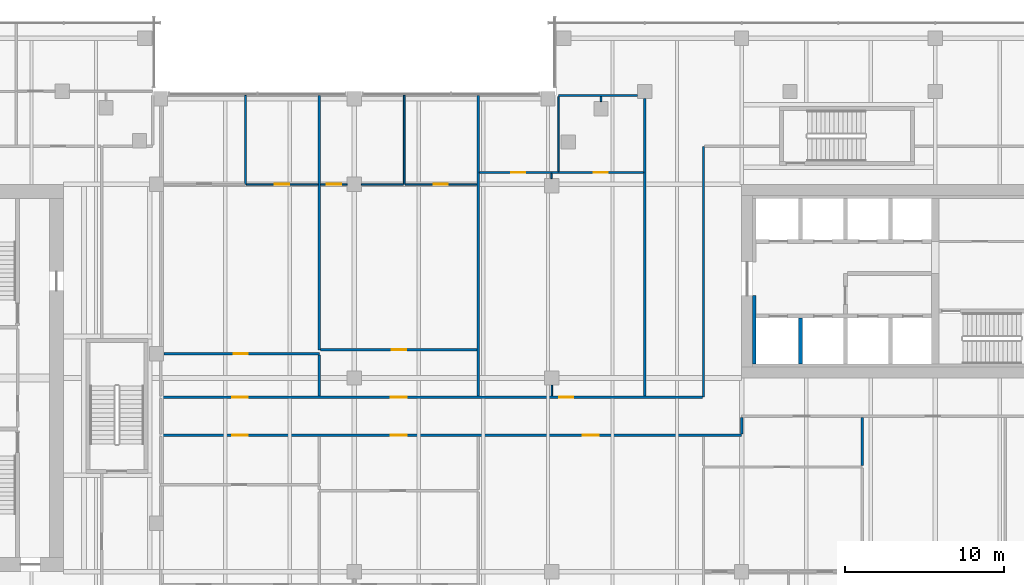
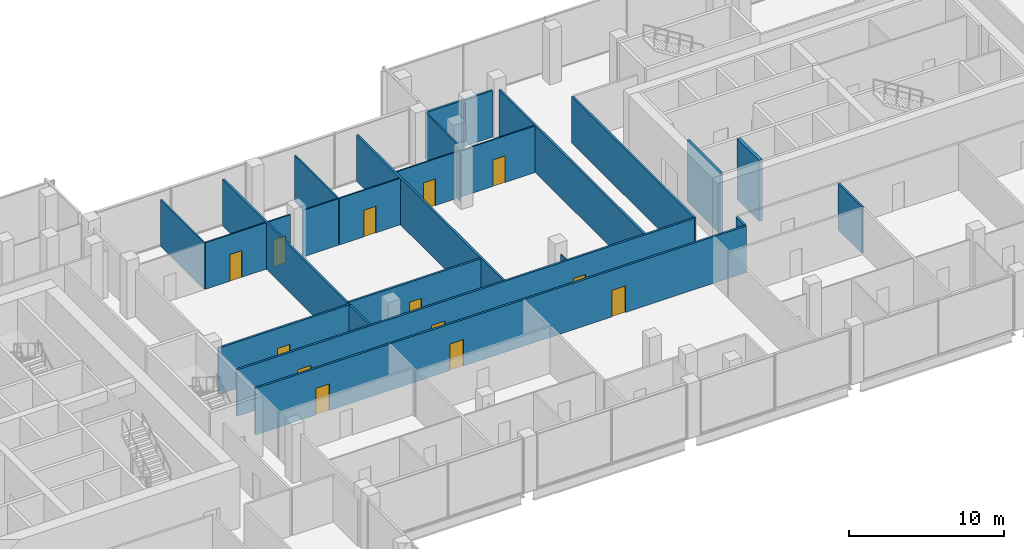
# One storey, part 27 of 33: 25 walls, 13 doors, 13 openings.
"""IFC4 building model written with IfcOpenShell, lengths in metres."""

from ifc_helpers import new_model, si_unit, direction, frame, frame_2d, origin, place, context, subcontext, project, spatial, rectangle, extrude, source, transform, mapped, material, layer, layer_set, type_object, element, fill, save


model = new_model("IFC4")

# Units and contexts
model_context = context("Model", 3, precision=1e-05, world=origin(), true_north=direction((0.0, 1.0)))
body_context = subcontext(model_context, "Body", "Model", "MODEL_VIEW")
ifc_project = project(units=[si_unit("LENGTHUNIT", "METRE"), si_unit("AREAUNIT", "SQUARE_METRE"), si_unit("VOLUMEUNIT", "CUBIC_METRE"), si_unit("PLANEANGLEUNIT", "RADIAN"), si_unit("MASSUNIT", "GRAM", prefix="KILO")], contexts=[model_context])

# Site, building, storey
site_placement = place(None, origin())
site = spatial("IfcSite", under=ifc_project, at=site_placement, CompositionType="ELEMENT")
building_placement = place(site_placement, origin())
building = spatial("IfcBuilding", under=site, at=building_placement, Name="Tessera Gate Towers", CompositionType="ELEMENT")
storey_placement = place(building_placement, frame((0.0, 0.0, 12.0)))
storey = spatial("IfcBuildingStorey", under=building, at=storey_placement, Name="L02", CompositionType="ELEMENT", Elevation=12.0)

# Walls
ifc_material_1 = material(Name="Concrete C40/50", Category="concrete")
ifc_layer_1 = layer(ifc_material_1, 0.25)
ifc_layer_set_1 = layer_set([ifc_layer_1], Name="CORE ENCLOSURE WALL 250")
wall_type_1 = type_object("IfcWallType", Name="CORE ENCLOSURE WALL 250", PredefinedType="SOLIDWALL", material=ifc_layer_set_1)
wall_1_placement = place(storey_placement, frame((101.324951171875, 37.5, 0.0), z_axis=(0.0, 0.0, 1.0), x_axis=(0.0, 1.0, 0.0)))
element("IfcWall", 1, at=wall_1_placement, inside=storey, type_object=wall_type_1, Name="L02 shaft and stair enclosure wall", PredefinedType="SOLIDWALL", context=body_context, shape_type="SweptSolid", body=[
    extrude(rectangle(XDim=2.875, YDim=0.25, at=frame_2d((1.4375, 0.0))), origin(), (0.0, 0.0, 1.0), 4.800048828125),
])
ifc_material_2 = material(Name="Concrete C60/75", Category="concrete")
ifc_layer_2 = layer(ifc_material_2, 0.199951171875)
ifc_layer_set_2 = layer_set([ifc_layer_2], Name="CORE WALL THICKENING 200")
wall_type_2 = type_object("IfcWallType", Name="CORE WALL THICKENING 200", PredefinedType="SOLIDWALL", material=ifc_layer_set_2)
wall_2_placement = place(storey_placement, frame((98.39990234375, 37.5, 0.0), z_axis=(0.0, 0.0, 1.0), x_axis=(0.0, 1.0, 0.0)))
element("IfcWall", 2, at=wall_2_placement, inside=storey, type_object=wall_type_2, Name="Core wall thickening W L02", PredefinedType="SOLIDWALL", context=body_context, shape_type="SweptSolid", body=[
    extrude(rectangle(XDim=4.300048828125, YDim=0.199951171875, at=frame_2d((2.14990234375, 0.0))), origin(), (0.0, 0.0, 1.0), 4.800048828125),
])

# Wall, openings, doors
ifc_material_3 = material(Name="Gypsum board on steel studs, mineral wool", Category="steel")
ifc_layer_3 = layer(ifc_material_3, 0.14990234375)
ifc_layer_set_3 = layer_set([ifc_layer_3], Name="CORRIDOR WALL 150")
wall_type_3 = type_object("IfcWallType", Name="CORRIDOR WALL 150", PredefinedType="PARTITIONING", material=ifc_layer_set_3)
wall_3_placement = place(storey_placement, frame((97.60009765625, 33.0, 0.0), z_axis=(0.0, 0.0, 1.0), x_axis=(-1.0, 0.0, 0.0)))
wall_3 = element("IfcWall", 3, at=wall_3_placement, inside=storey, type_object=wall_type_3, Name="PODIUM-L02-PW-068", PredefinedType="PARTITIONING", context=body_context, shape_type="SweptSolid", body=[
    extrude(rectangle(XDim=36.60009765625, YDim=0.14990234375, at=frame_2d((18.300048828125, 0.0))), origin(), (0.0, 0.0, 1.0), 3.672119140625),
])
shared_shape_1 = source(origin(), body_context, "Body", "SweptSolid", [
    extrude(rectangle(XDim=1.0, YDim=2.10009765625, at=frame_2d((0.5, 1.050048828125))), frame((0.0, 0.0849609375, 0.0), z_axis=(0.0, -1.0, 0.0), x_axis=(1.0, 0.0, 0.0)), (0.0, 0.0, 1.0), 0.169921875),
])
opening_1_placement = place(wall_3_placement, frame((21.09912109375, 0.0, 0.0)))
opening_1 = element("IfcOpeningElement", 4, at=opening_1_placement, cuts=wall_3, Name="Opening D2100FD60-P03-03", PredefinedType="OPENING", context=body_context, shape_type="MappedRepresentation", body=[
    mapped(shared_shape_1, transform((0.0, 0.0, 0.0), scale=1.0)),
])
opening_2_placement = place(wall_3_placement, frame((31.10009765625, 0.0, 0.0)))
opening_2 = element("IfcOpeningElement", 5, at=opening_2_placement, cuts=wall_3, Name="Opening D2100FD60-P03-05", PredefinedType="OPENING", context=body_context, shape_type="MappedRepresentation", body=[
    mapped(shared_shape_1, transform((0.0, 0.0, 0.0), scale=1.0)),
])
opening_3_placement = place(wall_3_placement, frame((9.0, 0.0, 0.0)))
opening_3 = element("IfcOpeningElement", 6, at=opening_3_placement, cuts=wall_3, Name="Opening D2100FD60-P03-08", PredefinedType="OPENING", context=body_context, shape_type="MappedRepresentation", body=[
    mapped(shared_shape_1, transform((0.0, 0.0, 0.0), scale=1.0)),
])
ifc_material_4 = material(Name="Timber door leaf in steel frame", Category="steel")
door_type_1 = type_object("IfcDoorType", Name="TENANCY ENTRANCE DOOR 1000 FD60", OperationType="NOTDEFINED", PredefinedType="DOOR", material=ifc_material_4)
shared_shape_2 = source(origin(), body_context, "Body", "SweptSolid", [
    extrude(rectangle(XDim=1.0, YDim=2.10009765625, at=frame_2d((0.5, 1.050048828125))), frame((0.0, 0.02490234375, 0.0), z_axis=(0.0, -1.0, 0.0), x_axis=(1.0, 0.0, 0.0)), (0.0, 0.0, 1.0), 0.050048828125),
])
door_1_placement = place(opening_1_placement, origin())
door_1 = element("IfcDoor", 7, at=door_1_placement, inside=storey, type_object=door_type_1, Name="PODIUM-L02-PD-046", OperationType="SINGLE_SWING_RIGHT", OverallHeight=2.10009765625, OverallWidth=1.0, PredefinedType="DOOR", context=body_context, shape_type="MappedRepresentation", body=[
    mapped(shared_shape_2, transform((0.0, 0.0, 0.0), scale=1.0)),
])
fill(opening_1, door_1)
door_2_placement = place(opening_2_placement, origin())
door_2 = element("IfcDoor", 8, at=door_2_placement, inside=storey, type_object=door_type_1, Name="PODIUM-L02-PD-048", OperationType="SINGLE_SWING_RIGHT", OverallHeight=2.10009765625, OverallWidth=1.0, PredefinedType="DOOR", context=body_context, shape_type="MappedRepresentation", body=[
    mapped(shared_shape_2, transform((0.0, 0.0, 0.0), scale=1.0)),
])
fill(opening_2, door_2)
door_3_placement = place(opening_3_placement, origin())
door_3 = element("IfcDoor", 9, at=door_3_placement, inside=storey, type_object=door_type_1, Name="PODIUM-L02-PD-058", OperationType="SINGLE_SWING_RIGHT", OverallHeight=2.10009765625, OverallWidth=1.0, PredefinedType="DOOR", context=body_context, shape_type="MappedRepresentation", body=[
    mapped(shared_shape_2, transform((0.0, 0.0, 0.0), scale=1.0)),
])
fill(opening_3, door_3)

# Wall
wall_4_placement = place(storey_placement, frame((97.60009765625, 33.075927734375, 0.0), z_axis=(0.0, 0.0, 1.0), x_axis=(0.0, 1.0, 0.0)))
element("IfcWall", 10, at=wall_4_placement, inside=storey, type_object=wall_type_3, Name="PODIUM-L02-PW-070", PredefinedType="PARTITIONING", context=body_context, shape_type="SweptSolid", body=[
    extrude(rectangle(XDim=1.048095703125, YDim=0.14990234375, at=frame_2d((0.52392578125, 0.0))), origin(), (0.0, 0.0, 1.0), 3.672119140625),
])

# Wall, openings, doors
wall_5_placement = place(storey_placement, frame((61.0, 35.39990234375, 0.0), z_axis=(0.0, 0.0, 1.0), x_axis=(1.0, 0.0, 0.0)))
wall_5 = element("IfcWall", 11, at=wall_5_placement, inside=storey, type_object=wall_type_3, Name="PODIUM-L02-PW-073", PredefinedType="PARTITIONING", context=body_context, shape_type="SweptSolid", body=[
    extrude(rectangle(XDim=34.1240234375, YDim=0.14990234375, at=frame_2d((17.06201171875, 0.0))), origin(), (0.0, 0.0, 1.0), 3.672119140625),
])
opening_4_placement = place(wall_5_placement, frame((14.5009765625, 0.0, 0.0)))
opening_4 = element("IfcOpeningElement", 12, at=opening_4_placement, cuts=wall_5, Name="Opening D2100FD60-P03-04", PredefinedType="OPENING", context=body_context, shape_type="MappedRepresentation", body=[
    mapped(shared_shape_1, transform((0.0, 0.0, 0.0), scale=1.0)),
])
opening_5_placement = place(wall_5_placement, frame((4.5, 0.0, 0.0)))
opening_5 = element("IfcOpeningElement", 13, at=opening_5_placement, cuts=wall_5, Name="Opening D2100FD60-P03-06", PredefinedType="OPENING", context=body_context, shape_type="MappedRepresentation", body=[
    mapped(shared_shape_1, transform((0.0, 0.0, 0.0), scale=1.0)),
])
shared_shape_3 = source(origin(), body_context, "Body", "SweptSolid", [
    extrude(rectangle(XDim=0.89990234375, YDim=2.10009765625, at=frame_2d((0.449951171875, 1.050048828125))), frame((0.0, 0.0849609375, 0.0), z_axis=(0.0, -1.0, 0.0), x_axis=(1.0, 0.0, 0.0)), (0.0, 0.0, 1.0), 0.169921875),
])
opening_6_placement = place(wall_5_placement, frame((25.10009765625, 0.0, 0.0)))
opening_6 = element("IfcOpeningElement", 14, at=opening_6_placement, cuts=wall_5, Name="Opening D890FD60-P03-07", PredefinedType="OPENING", context=body_context, shape_type="MappedRepresentation", body=[
    mapped(shared_shape_3, transform((0.0, 0.0, 0.0), scale=1.0)),
])
ifc_material_5 = material(Name="Timber door leaf in steel frame", Category="steel")
door_type_2 = type_object("IfcDoorType", Name="CORRIDOR DOOR 900 FD60", OperationType="NOTDEFINED", PredefinedType="DOOR", material=ifc_material_5)
shared_shape_4 = source(origin(), body_context, "Body", "SweptSolid", [
    extrude(rectangle(XDim=0.89990234375, YDim=2.10009765625, at=frame_2d((0.449951171875, 1.050048828125))), frame((0.0, 0.02490234375, 0.0), z_axis=(0.0, -1.0, 0.0), x_axis=(1.0, 0.0, 0.0)), (0.0, 0.0, 1.0), 0.050048828125),
])
door_4_placement = place(opening_6_placement, origin())
door_4 = element("IfcDoor", 15, at=door_4_placement, inside=storey, type_object=door_type_2, Name="PODIUM-L02-PD-054", OperationType="SINGLE_SWING_RIGHT", OverallHeight=2.10009765625, OverallWidth=0.89990234375, PredefinedType="DOOR", context=body_context, shape_type="MappedRepresentation", body=[
    mapped(shared_shape_4, transform((0.0, 0.0, 0.0), scale=1.0)),
])
fill(opening_6, door_4)
door_5_placement = place(opening_4_placement, origin())
door_5 = element("IfcDoor", 16, at=door_5_placement, inside=storey, type_object=door_type_1, Name="PODIUM-L02-PD-047", OperationType="SINGLE_SWING_LEFT", OverallHeight=2.10009765625, OverallWidth=1.0, PredefinedType="DOOR", context=body_context, shape_type="MappedRepresentation", body=[
    mapped(shared_shape_2, transform((0.0, 0.0, 0.0), scale=1.0)),
])
fill(opening_4, door_5)
door_6_placement = place(opening_5_placement, origin())
door_6 = element("IfcDoor", 17, at=door_6_placement, inside=storey, type_object=door_type_1, Name="PODIUM-L02-PD-051", OperationType="SINGLE_SWING_LEFT", OverallHeight=2.10009765625, OverallWidth=1.0, PredefinedType="DOOR", context=body_context, shape_type="MappedRepresentation", body=[
    mapped(shared_shape_2, transform((0.0, 0.0, 0.0), scale=1.0)),
])
fill(opening_5, door_6)

# Walls
wall_6_placement = place(storey_placement, frame((95.199951171875, 35.39990234375, 0.0), z_axis=(0.0, 0.0, 1.0), x_axis=(0.0, 1.0, 0.0)))
element("IfcWall", 18, at=wall_6_placement, inside=storey, type_object=wall_type_3, Name="PODIUM-L02-PW-074", PredefinedType="PARTITIONING", context=body_context, shape_type="SweptSolid", body=[
    extrude(rectangle(XDim=15.800048828125, YDim=0.14990234375, at=frame_2d((7.89990234375, 0.0))), origin(), (0.0, 0.0, 1.0), 3.672119140625),
])
ifc_material_6 = material(Name="Gypsum board on steel studs", Category="steel")
ifc_layer_4 = layer(ifc_material_6, 0.10009765625)
ifc_layer_set_4 = layer_set([ifc_layer_4], Name="PARTITION 100")
wall_type_4 = type_object("IfcWallType", Name="PARTITION 100", PredefinedType="PARTITIONING", material=ifc_layer_set_4)
wall_7_placement = place(storey_placement, frame((85.64990234375, 36.14990234375, 0.0), z_axis=(0.0, 0.0, 1.0), x_axis=(0.0, -1.0, 0.0)))
element("IfcWall", 19, at=wall_7_placement, inside=storey, type_object=wall_type_4, Name="PODIUM-L02-PW-079", PredefinedType="PARTITIONING", context=body_context, shape_type="SweptSolid", body=[
    extrude(rectangle(XDim=0.6748046875, YDim=0.10009765625, at=frame_2d((0.33740234375, 0.0))), origin(), (0.0, 0.0, 1.0), 3.672119140625),
])
wall_8_placement = place(storey_placement, frame((66.35009765625, 48.800048828125, 0.0), z_axis=(0.0, 0.0, 1.0), x_axis=(0.0, 1.0, 0.0)))
element("IfcWall", 20, at=wall_8_placement, inside=storey, type_object=wall_type_4, Name="PODIUM-L02-PW-093", PredefinedType="PARTITIONING", context=body_context, shape_type="SweptSolid", body=[
    extrude(rectangle(XDim=5.599853515625, YDim=0.10009765625, at=frame_2d((2.7998046875, 0.0))), origin(), (0.0, 0.0, 1.0), 3.672119140625),
])

# Wall, opening, door
wall_9_placement = place(storey_placement, frame((66.40087890625, 48.800048828125, 0.0), z_axis=(0.0, 0.0, 1.0), x_axis=(1.0, 0.0, 0.0)))
wall_9 = element("IfcWall", 21, at=wall_9_placement, inside=storey, type_object=wall_type_4, Name="PODIUM-L02-PW-094", PredefinedType="PARTITIONING", context=body_context, shape_type="SweptSolid", body=[
    extrude(rectangle(XDim=4.523193359375, YDim=0.10009765625, at=frame_2d((2.26171875, 0.0))), origin(), (0.0, 0.0, 1.0), 3.672119140625),
])
shared_shape_5 = source(origin(), body_context, "Body", "SweptSolid", [
    extrude(rectangle(XDim=0.89990234375, YDim=2.10009765625, at=frame_2d((0.449951171875, 1.050048828125))), frame((0.0, 0.06005859375, 0.0), z_axis=(0.0, -1.0, 0.0), x_axis=(1.0, 0.0, 0.0)), (0.0, 0.0, 1.0), 0.1201171875),
])
opening_7_placement = place(wall_9_placement, frame((1.800048828125, 0.0, 0.0)))
opening_7 = element("IfcOpeningElement", 22, at=opening_7_placement, cuts=wall_9, Name="Opening D190-P03-05", PredefinedType="OPENING", context=body_context, shape_type="MappedRepresentation", body=[
    mapped(shared_shape_5, transform((0.0, 0.0, 0.0), scale=1.0)),
])
ifc_material_7 = material(Name="Timber door leaf in steel frame", Category="steel")
door_type_3 = type_object("IfcDoorType", Name="INTERNAL DOOR 900 NOT RATED", OperationType="NOTDEFINED", PredefinedType="DOOR", material=ifc_material_7)
door_7_placement = place(opening_7_placement, origin())
door_7 = element("IfcDoor", 23, at=door_7_placement, inside=storey, type_object=door_type_3, Name="PODIUM-L02-PD-013", OperationType="SINGLE_SWING_LEFT", OverallHeight=2.10009765625, OverallWidth=0.89990234375, PredefinedType="DOOR", context=body_context, shape_type="MappedRepresentation", body=[
    mapped(shared_shape_4, transform((0.0, 0.0, 0.0), scale=1.0)),
])
fill(opening_7, door_7)

wall_10_placement = place(storey_placement, frame((71.075927734375, 48.800048828125, 0.0), z_axis=(0.0, 0.0, 1.0), x_axis=(1.0, 0.0, 0.0)))
wall_10 = element("IfcWall", 24, at=wall_10_placement, inside=storey, type_object=wall_type_4, Name="PODIUM-L02-PW-095", PredefinedType="PARTITIONING", context=body_context, shape_type="SweptSolid", body=[
    extrude(rectangle(XDim=1.673095703125, YDim=0.10009765625, at=frame_2d((0.83642578125, 0.0))), origin(), (0.0, 0.0, 1.0), 3.672119140625),
])
opening_8_placement = place(wall_10_placement, frame((0.39990234375, 0.0, 0.0)))
opening_8 = element("IfcOpeningElement", 25, at=opening_8_placement, cuts=wall_10, Name="Opening D190-P03-02", PredefinedType="OPENING", context=body_context, shape_type="MappedRepresentation", body=[
    mapped(shared_shape_5, transform((0.0, 0.0, 0.0), scale=1.0)),
])
door_8_placement = place(opening_8_placement, origin())
door_8 = element("IfcDoor", 26, at=door_8_placement, inside=storey, type_object=door_type_3, Name="PODIUM-L02-PD-010", OperationType="SINGLE_SWING_LEFT", OverallHeight=2.10009765625, OverallWidth=0.89990234375, PredefinedType="DOOR", context=body_context, shape_type="MappedRepresentation", body=[
    mapped(shared_shape_4, transform((0.0, 0.0, 0.0), scale=1.0)),
])
fill(opening_8, door_8)

# Walls
wall_11_placement = place(storey_placement, frame((73.65087890625, 48.800048828125, 0.0), z_axis=(0.0, 0.0, 1.0), x_axis=(1.0, 0.0, 0.0)))
element("IfcWall", 27, at=wall_11_placement, inside=storey, type_object=wall_type_4, Name="PODIUM-L02-PW-096", PredefinedType="PARTITIONING", context=body_context, shape_type="SweptSolid", body=[
    extrude(rectangle(XDim=2.648193359375, YDim=0.10009765625, at=frame_2d((1.32421875, 0.0))), origin(), (0.0, 0.0, 1.0), 3.672119140625),
])
wall_12_placement = place(storey_placement, frame((76.35009765625, 48.800048828125, 0.0), z_axis=(0.0, 0.0, 1.0), x_axis=(0.0, 1.0, 0.0)))
element("IfcWall", 28, at=wall_12_placement, inside=storey, type_object=wall_type_4, Name="PODIUM-L02-PW-097", PredefinedType="PARTITIONING", context=body_context, shape_type="SweptSolid", body=[
    extrude(rectangle(XDim=5.599853515625, YDim=0.10009765625, at=frame_2d((2.7998046875, 0.0))), origin(), (0.0, 0.0, 1.0), 3.672119140625),
])

# Wall, opening, door
wall_13_placement = place(storey_placement, frame((76.40087890625, 48.800048828125, 0.0), z_axis=(0.0, 0.0, 1.0), x_axis=(1.0, 0.0, 0.0)))
wall_13 = element("IfcWall", 29, at=wall_13_placement, inside=storey, type_object=wall_type_4, Name="PODIUM-L02-PW-098", PredefinedType="PARTITIONING", context=body_context, shape_type="SweptSolid", body=[
    extrude(rectangle(XDim=4.523193359375, YDim=0.10009765625, at=frame_2d((2.26171875, 0.0))), origin(), (0.0, 0.0, 1.0), 3.672119140625),
])
opening_9_placement = place(wall_13_placement, frame((1.800048828125, 0.0, 0.0)))
opening_9 = element("IfcOpeningElement", 30, at=opening_9_placement, cuts=wall_13, Name="Opening D190-P03-06", PredefinedType="OPENING", context=body_context, shape_type="MappedRepresentation", body=[
    mapped(shared_shape_5, transform((0.0, 0.0, 0.0), scale=1.0)),
])
door_9_placement = place(opening_9_placement, origin())
door_9 = element("IfcDoor", 31, at=door_9_placement, inside=storey, type_object=door_type_3, Name="PODIUM-L02-PD-014", OperationType="SINGLE_SWING_LEFT", OverallHeight=2.10009765625, OverallWidth=0.89990234375, PredefinedType="DOOR", context=body_context, shape_type="MappedRepresentation", body=[
    mapped(shared_shape_4, transform((0.0, 0.0, 0.0), scale=1.0)),
])
fill(opening_9, door_9)

# Wall
wall_14_placement = place(storey_placement, frame((85.633056640625, 49.159912109375, 0.0), z_axis=(0.0, 0.0, 1.0), x_axis=(0.0, 1.0, 0.0)))
element("IfcWall", 32, at=wall_14_placement, inside=storey, type_object=wall_type_4, Name="PODIUM-L02-PW-099", PredefinedType="PARTITIONING", context=body_context, shape_type="SweptSolid", body=[
    extrude(rectangle(XDim=0.340087890625, YDim=0.10009765625, at=frame_2d((0.169921875, 0.0))), origin(), (0.0, 0.0, 1.0), 3.672119140625),
])

# Wall, openings, doors
wall_15_placement = place(storey_placement, frame((81.075927734375, 49.550048828125, 0.0), z_axis=(0.0, 0.0, 1.0), x_axis=(1.0, 0.0, 0.0)))
wall_15 = element("IfcWall", 33, at=wall_15_placement, inside=storey, type_object=wall_type_4, Name="PODIUM-L02-PW-103", PredefinedType="PARTITIONING", context=body_context, shape_type="SweptSolid", body=[
    extrude(rectangle(XDim=10.34814453125, YDim=0.10009765625, at=frame_2d((5.174072265625, 0.0))), origin(), (0.0, 0.0, 1.0), 3.672119140625),
])
opening_10_placement = place(wall_15_placement, frame((2.0, 0.0, 0.0)))
opening_10 = element("IfcOpeningElement", 34, at=opening_10_placement, cuts=wall_15, Name="Opening D190-P03-11", PredefinedType="OPENING", context=body_context, shape_type="MappedRepresentation", body=[
    mapped(shared_shape_5, transform((0.0, 0.0, 0.0), scale=1.0)),
])
opening_11_placement = place(wall_15_placement, frame((7.196533203125, 0.0, 0.0)))
opening_11 = element("IfcOpeningElement", 35, at=opening_11_placement, cuts=wall_15, Name="Opening D190-P03-16", PredefinedType="OPENING", context=body_context, shape_type="MappedRepresentation", body=[
    mapped(shared_shape_5, transform((0.0, 0.0, 0.0), scale=1.0)),
])
door_10_placement = place(opening_10_placement, origin())
door_10 = element("IfcDoor", 36, at=door_10_placement, inside=storey, type_object=door_type_3, Name="PODIUM-L02-PD-021", OperationType="SINGLE_SWING_LEFT", OverallHeight=2.10009765625, OverallWidth=0.89990234375, PredefinedType="DOOR", context=body_context, shape_type="MappedRepresentation", body=[
    mapped(shared_shape_4, transform((0.0, 0.0, 0.0), scale=1.0)),
])
fill(opening_10, door_10)
door_11_placement = place(opening_11_placement, origin())
door_11 = element("IfcDoor", 37, at=door_11_placement, inside=storey, type_object=door_type_3, Name="PODIUM-L02-PD-027", OperationType="SINGLE_SWING_LEFT", OverallHeight=2.10009765625, OverallWidth=0.89990234375, PredefinedType="DOOR", context=body_context, shape_type="MappedRepresentation", body=[
    mapped(shared_shape_4, transform((0.0, 0.0, 0.0), scale=1.0)),
])
fill(opening_11, door_11)

# Walls
wall_16_placement = place(storey_placement, frame((86.072021484375, 49.60107421875, 0.0), z_axis=(0.0, 0.0, 1.0), x_axis=(0.0, 1.0, 0.0)))
element("IfcWall", 38, at=wall_16_placement, inside=storey, type_object=wall_type_4, Name="PODIUM-L02-PW-104", PredefinedType="PARTITIONING", context=body_context, shape_type="SweptSolid", body=[
    extrude(rectangle(XDim=4.722900390625, YDim=0.10009765625, at=frame_2d((2.361328125, 0.0))), origin(), (0.0, 0.0, 1.0), 3.672119140625),
])
wall_17_placement = place(storey_placement, frame((88.743896484375, 54.01904296875, 0.0), z_axis=(0.0, 0.0, 1.0), x_axis=(0.0, 1.0, 0.0)))
element("IfcWall", 39, at=wall_17_placement, inside=storey, type_object=wall_type_4, Name="PODIUM-L02-PW-119", PredefinedType="PARTITIONING", context=body_context, shape_type="SweptSolid", body=[
    extrude(rectangle(XDim=0.305908203125, YDim=0.10009765625, at=frame_2d((0.15283203125, 0.0))), origin(), (0.0, 0.0, 1.0), 3.672119140625),
])
ifc_material_8 = material(Name="Gypsum board on steel studs, mineral wool", Category="steel")
ifc_layer_5 = layer(ifc_material_8, 0.14990234375)
ifc_layer_set_5 = layer_set([ifc_layer_5], Name="TENANCY WALL 150")
wall_type_5 = type_object("IfcWallType", Name="TENANCY WALL 150", PredefinedType="PARTITIONING", material=ifc_layer_set_5)
wall_18_placement = place(storey_placement, frame((105.199951171875, 31.075927734375, 0.0), z_axis=(0.0, 0.0, 1.0), x_axis=(0.0, 1.0, 0.0)))
element("IfcWall", 40, at=wall_18_placement, inside=storey, type_object=wall_type_5, Name="PODIUM-L02-PW-067", PredefinedType="PARTITIONING", context=body_context, shape_type="SweptSolid", body=[
    extrude(rectangle(XDim=3.048095703125, YDim=0.14990234375, at=frame_2d((1.52392578125, 0.0))), origin(), (0.0, 0.0, 1.0), 3.672119140625),
])
wall_19_placement = place(storey_placement, frame((71.0, 35.47607421875, 0.0), z_axis=(0.0, 0.0, 1.0), x_axis=(0.0, 1.0, 0.0)))
element("IfcWall", 41, at=wall_19_placement, inside=storey, type_object=wall_type_5, Name="PODIUM-L02-PW-076", PredefinedType="PARTITIONING", context=body_context, shape_type="SweptSolid", body=[
    extrude(rectangle(XDim=2.572998046875, YDim=0.14990234375, at=frame_2d((1.28662109375, 0.0))), origin(), (0.0, 0.0, 1.0), 3.672119140625),
])
wall_20_placement = place(storey_placement, frame((81.0, 35.47607421875, 0.0), z_axis=(0.0, 0.0, 1.0), x_axis=(0.0, 1.0, 0.0)))
element("IfcWall", 42, at=wall_20_placement, inside=storey, type_object=wall_type_5, Name="PODIUM-L02-PW-077", PredefinedType="PARTITIONING", context=body_context, shape_type="SweptSolid", body=[
    extrude(rectangle(XDim=18.923828125, YDim=0.14990234375, at=frame_2d((9.4619140625, 0.0))), origin(), (0.0, 0.0, 1.0), 3.672119140625),
])
wall_21_placement = place(storey_placement, frame((91.5, 35.47607421875, 0.0), z_axis=(0.0, 0.0, 1.0), x_axis=(0.0, 1.0, 0.0)))
element("IfcWall", 43, at=wall_21_placement, inside=storey, type_object=wall_type_5, Name="PODIUM-L02-PW-078", PredefinedType="PARTITIONING", context=body_context, shape_type="SweptSolid", body=[
    extrude(rectangle(XDim=18.722900390625, YDim=0.14990234375, at=frame_2d((9.361328125, 0.0))), origin(), (0.0, 0.0, 1.0), 3.672119140625),
])

# Wall, opening, door
wall_22_placement = place(storey_placement, frame((61.200927734375, 38.125, 0.0), z_axis=(0.0, 0.0, 1.0), x_axis=(1.0, 0.0, 0.0)))
wall_22 = element("IfcWall", 44, at=wall_22_placement, inside=storey, type_object=wall_type_5, Name="PODIUM-L02-PW-082", PredefinedType="PARTITIONING", context=body_context, shape_type="SweptSolid", body=[
    extrude(rectangle(XDim=9.799072265625, YDim=0.14990234375, at=frame_2d((4.8994140625, 0.0))), origin(), (0.0, 0.0, 1.0), 3.672119140625),
])
opening_12_placement = place(wall_22_placement, frame((4.39990234375, 0.0, 0.0)))
opening_12 = element("IfcOpeningElement", 45, at=opening_12_placement, cuts=wall_22, Name="Opening D190-P03-21", PredefinedType="OPENING", context=body_context, shape_type="MappedRepresentation", body=[
    mapped(shared_shape_3, transform((0.0, 0.0, 0.0), scale=1.0)),
])
door_12_placement = place(opening_12_placement, origin())
door_12 = element("IfcDoor", 46, at=door_12_placement, inside=storey, type_object=door_type_3, Name="PODIUM-L02-PD-044", OperationType="SINGLE_SWING_LEFT", OverallHeight=2.10009765625, OverallWidth=0.89990234375, PredefinedType="DOOR", context=body_context, shape_type="MappedRepresentation", body=[
    mapped(shared_shape_4, transform((0.0, 0.0, 0.0), scale=1.0)),
])
fill(opening_12, door_12)

# Wall
wall_23_placement = place(storey_placement, frame((71.0, 38.375, 0.0), z_axis=(0.0, 0.0, 1.0), x_axis=(0.0, 1.0, 0.0)))
element("IfcWall", 47, at=wall_23_placement, inside=storey, type_object=wall_type_5, Name="PODIUM-L02-PW-083", PredefinedType="PARTITIONING", context=body_context, shape_type="SweptSolid", body=[
    extrude(rectangle(XDim=16.02490234375, YDim=0.14990234375, at=frame_2d((8.012451171875, 0.0))), origin(), (0.0, 0.0, 1.0), 3.672119140625),
])

# Wall, opening, door
wall_24_placement = place(storey_placement, frame((71.075927734375, 38.375, 0.0), z_axis=(0.0, 0.0, 1.0), x_axis=(1.0, 0.0, 0.0)))
wall_24 = element("IfcWall", 48, at=wall_24_placement, inside=storey, type_object=wall_type_5, Name="PODIUM-L02-PW-084", PredefinedType="PARTITIONING", context=body_context, shape_type="SweptSolid", body=[
    extrude(rectangle(XDim=9.84814453125, YDim=0.14990234375, at=frame_2d((4.924072265625, 0.0))), origin(), (0.0, 0.0, 1.0), 3.672119140625),
])
opening_13_placement = place(wall_24_placement, frame((4.5, 0.0, 0.0)))
opening_13 = element("IfcOpeningElement", 49, at=opening_13_placement, cuts=wall_24, Name="Opening D190-P03-22", PredefinedType="OPENING", context=body_context, shape_type="MappedRepresentation", body=[
    mapped(shared_shape_3, transform((0.0, 0.0, 0.0), scale=1.0)),
])
door_13_placement = place(opening_13_placement, origin())
door_13 = element("IfcDoor", 50, at=door_13_placement, inside=storey, type_object=door_type_3, Name="PODIUM-L02-PD-045", OperationType="SINGLE_SWING_LEFT", OverallHeight=2.10009765625, OverallWidth=0.89990234375, PredefinedType="DOOR", context=body_context, shape_type="MappedRepresentation", body=[
    mapped(shared_shape_4, transform((0.0, 0.0, 0.0), scale=1.0)),
])
fill(opening_13, door_13)

# Wall
wall_25_placement = place(storey_placement, frame((86.072509765625, 54.39990234375, 0.0), z_axis=(0.0, 0.0, 1.0), x_axis=(1.0, 0.0, 0.0)))
element("IfcWall", 51, at=wall_25_placement, inside=storey, type_object=wall_type_5, Name="PODIUM-L02-PW-121", PredefinedType="PARTITIONING", context=body_context, shape_type="SweptSolid", body=[
    extrude(rectangle(XDim=4.9765625, YDim=0.14990234375, at=frame_2d((2.48828125, 0.0))), origin(), (0.0, 0.0, 1.0), 3.672119140625),
])

save(model, "model.ifc")
